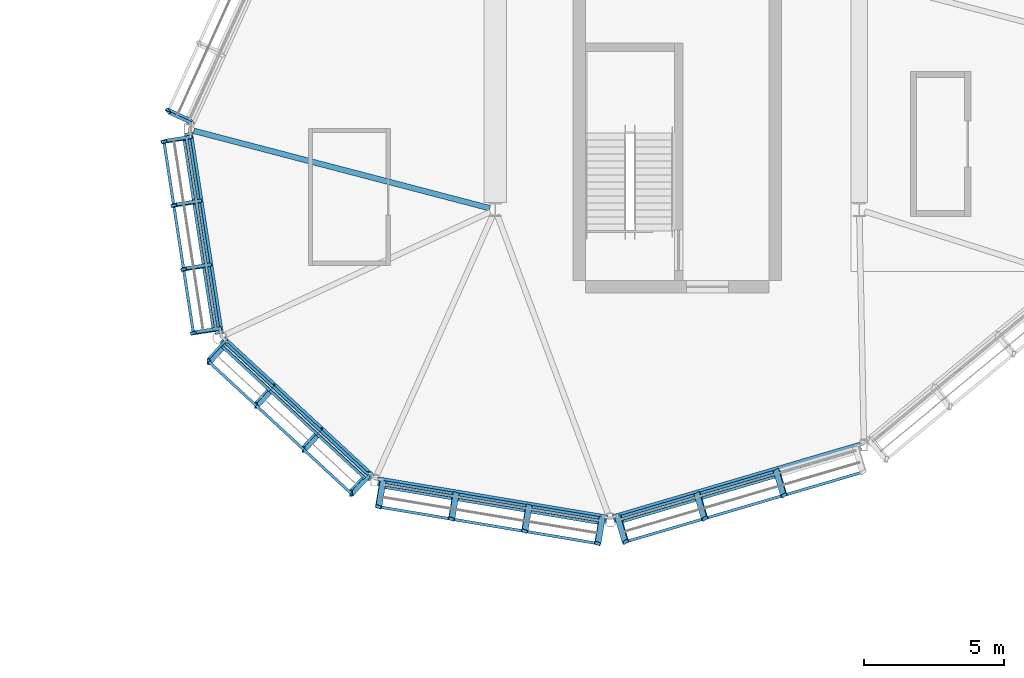
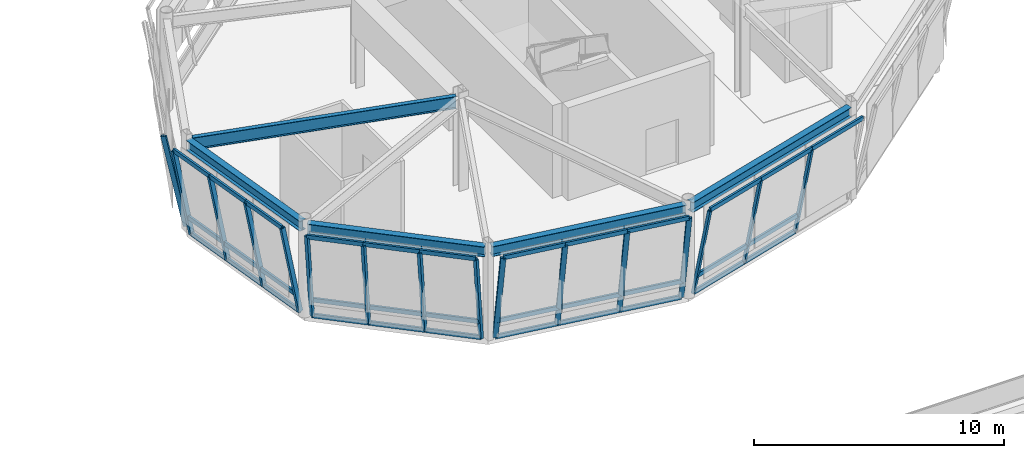
# One storey, part 55 of 94: 50 members, 5 beams, 5 elements without a shape of their own.
"""IFC4 building model written with IfcOpenShell, lengths in metres."""

from ifc_helpers import new_model, si_unit, direction, frame, origin, origin_2d, place, context, subcontext, project, spatial, hollow_rectangle, i_section, extrude, material, material_profile, profile_set, type_object, element, aggregate, save


model = new_model("IFC4")

# Units and contexts
model_context = context("Model", 3, precision=1e-05, world=origin(), true_north=direction((0.0, 1.0)))
body_context = subcontext(model_context, "Body", "Model", "MODEL_VIEW")
ifc_project = project(units=[si_unit("LENGTHUNIT", "METRE"), si_unit("AREAUNIT", "SQUARE_METRE"), si_unit("VOLUMEUNIT", "CUBIC_METRE"), si_unit("PLANEANGLEUNIT", "RADIAN"), si_unit("MASSUNIT", "GRAM", prefix="KILO")], contexts=[model_context])

# Site, building, storey
site_placement = place(None, origin())
site = spatial("IfcSite", under=ifc_project, at=site_placement, CompositionType="ELEMENT")
building_placement = place(site_placement, origin())
building = spatial("IfcBuilding", under=site, at=building_placement, Name="Linyun Crest Stadium", CompositionType="ELEMENT")
storey_placement = place(building_placement, frame((0.0, 0.0, 16.199951171875)))
storey = spatial("IfcBuildingStorey", under=building, at=storey_placement, Name="L04", CompositionType="ELEMENT", Elevation=16.199951171875)

# Beams
ifc_material_1 = material(Name="Steel Q355C", Category="steel")
ifc_material_profile_1 = material_profile(ifc_material_1, i_section(OverallWidth=0.300048828125, OverallDepth=0.488037109375, WebThickness=0.010986328125, FlangeThickness=0.01806640625, at=origin_2d()), Name="HM 488x300")
ifc_profile_set_1 = profile_set([ifc_material_profile_1], Name="Steel Q355C")
beam_type_1 = type_object("IfcBeamType", Name="B08", PredefinedType="BEAM", material=ifc_profile_set_1)
beam_1_placement = place(storey_placement, frame((56.0390625, 83.2529296875, 4.276123046875), z_axis=(0.152213453027, -0.988347643655, 0.0), x_axis=(0.988347643655, 0.152213453027, 0.0)))
element("IfcBeam", 1, at=beam_1_placement, inside=storey, type_object=beam_type_1, Name="Pod ring girder B08 L04 131", PredefinedType="BEAM", context=body_context, shape_type="SweptSolid", body=[
    extrude(i_section(OverallWidth=0.300048828125, OverallDepth=0.488037109375, WebThickness=0.010986328125, FlangeThickness=0.01806640625, at=origin_2d()), origin(), (0.0, 0.0, 1.0), 7.278564453125),
])
beam_2_placement = place(storey_placement, frame((57.2529296875, 75.85888671875, 4.276123046875), z_axis=(0.734193861678, -0.678939889441, 0.0), x_axis=(0.678939889441, 0.734193861678, 0.0)))
element("IfcBeam", 2, at=beam_2_placement, inside=storey, type_object=beam_type_1, Name="Pod ring girder B08 L04 133", PredefinedType="BEAM", context=body_context, shape_type="SweptSolid", body=[
    extrude(i_section(OverallWidth=0.300048828125, OverallDepth=0.488037109375, WebThickness=0.010986328125, FlangeThickness=0.01806640625, at=origin_2d()), origin(), (0.0, 0.0, 1.0), 7.28173828125),
])
beam_3_placement = place(storey_placement, frame((62.804931640625, 70.81396484375, 4.276123046875), z_axis=(0.986275969976, -0.165105151487, 0.0), x_axis=(0.165105151487, 0.986275969976, 0.0)))
element("IfcBeam", 3, at=beam_3_placement, inside=storey, type_object=beam_type_1, Name="Pod ring girder B08 L04 135", PredefinedType="BEAM", context=body_context, shape_type="SweptSolid", body=[
    extrude(i_section(OverallWidth=0.300048828125, OverallDepth=0.488037109375, WebThickness=0.010986328125, FlangeThickness=0.01806640625, at=origin_2d()), origin(), (0.0, 0.0, 1.0), 8.296875),
])
beam_4_placement = place(storey_placement, frame((71.220947265625, 69.4580078125, 4.276123046875), z_axis=(0.959427571735, 0.281955199623, 0.0), x_axis=(-0.281955199623, 0.959427571735, 0.0)))
element("IfcBeam", 4, at=beam_4_placement, inside=storey, type_object=beam_type_1, Name="Pod ring girder B08 L04 137", PredefinedType="BEAM", context=body_context, shape_type="SweptSolid", body=[
    extrude(i_section(OverallWidth=0.300048828125, OverallDepth=0.488037109375, WebThickness=0.010986328125, FlangeThickness=0.01806640625, at=origin_2d()), origin(), (0.0, 0.0, 1.0), 9.203369140625),
])
ifc_material_2 = material(Name="Steel Q355C", Category="steel")
ifc_material_profile_2 = material_profile(ifc_material_2, i_section(OverallWidth=0.199951171875, OverallDepth=0.60009765625, WebThickness=0.010986328125, FlangeThickness=0.01708984375, at=origin_2d()), Name="HN 600x200")
ifc_profile_set_2 = profile_set([ifc_material_profile_2], Name="Steel Q355C")
beam_type_2 = type_object("IfcBeamType", Name="B11", PredefinedType="BEAM", material=ifc_profile_set_2)
beam_5_placement = place(storey_placement, frame((66.806884765625, 80.551025390625, 4.219970703125), z_axis=(-0.967466930693, 0.252997505948, 0.0), x_axis=(-0.252997505948, -0.967466930693, 0.0)))
element("IfcBeam", 5, at=beam_5_placement, inside=storey, type_object=beam_type_2, Name="Pod radial tie girder B11 L04 132", PredefinedType="BEAM", context=body_context, shape_type="SweptSolid", body=[
    extrude(i_section(OverallWidth=0.199951171875, OverallDepth=0.60009765625, WebThickness=0.010986328125, FlangeThickness=0.01708984375, at=origin_2d()), origin(), (0.0, 0.0, 1.0), 10.928466796875),
])

# Curtain wall, member
ifc_material_3 = material(Name="Verdigris steel and low-E curtain wall assembly", Category="steel")
curtain_wall_type = type_object("IfcCurtainWallType", Name="MCW04", PredefinedType="NOTDEFINED", material=ifc_material_3)
curtain_wall_1_placement = place(storey_placement, origin())
curtain_wall_1 = element("IfcCurtainWall", 6, at=curtain_wall_1_placement, inside=storey, type_object=curtain_wall_type, Name="CWR-041", PredefinedType="NOTDEFINED")
ifc_material_4 = material(Name="Verdigris painted steel Q355C pod mullion", Category="steel")
ifc_material_profile_3 = material_profile(ifc_material_4, hollow_rectangle(XDim=0.1201171875, YDim=0.219970703125, WallThickness=0.008056640625, at=origin_2d()), Name="RHS 220x120x8")
ifc_profile_set_3 = profile_set([ifc_material_profile_3], Name="Verdigris painted steel Q355C pod mullion")
member_type_1 = type_object("IfcMemberType", Name="ML04", PredefinedType="MULLION", material=ifc_profile_set_3)
member_1_placement = place(storey_placement, frame((56.14501953125, 83.64501953125, 0.0), z_axis=(-0.181468825356, 0.082607741959, 0.979920928643), x_axis=(-0.746742899656, -0.659957267933, -0.082652563878)))
member_1 = element("IfcMember", 7, at=member_1_placement, type_object=member_type_1, Name="CWR-041 mullion 4", PredefinedType="MULLION", context=body_context, shape_type="SweptSolid", body=[
    extrude(hollow_rectangle(XDim=0.1201171875, YDim=0.219970703125, WallThickness=0.008056640625, at=origin_2d()), origin(), (0.0, 0.0, 1.0), 4.55126953125),
])
aggregate(curtain_wall_1, [member_1])

# Curtain wall, members
curtain_wall_2_placement = place(storey_placement, origin())
curtain_wall_2 = element("IfcCurtainWall", 8, at=curtain_wall_2_placement, inside=storey, type_object=curtain_wall_type, Name="CWR-042", PredefinedType="NOTDEFINED")
member_2_placement = place(storey_placement, frame((56.06689453125, 83.074951171875, 0.0), z_axis=(-0.197078126457, -0.030307333002, 0.979919219956), x_axis=(0.297564133026, -0.954219848117, 0.030332625933)))
member_2 = element("IfcMember", 9, at=member_2_placement, type_object=member_type_1, Name="CWR-042 mullion 1", PredefinedType="MULLION", context=body_context, shape_type="SweptSolid", body=[
    extrude(hollow_rectangle(XDim=0.1201171875, YDim=0.219970703125, WallThickness=0.008056640625, at=origin_2d()), origin(), (0.0, 0.0, 1.0), 4.55126953125),
])
member_3_placement = place(storey_placement, frame((56.41796875, 80.7958984375, 0.0), z_axis=(-0.197078126457, -0.030307333002, 0.979919219956), x_axis=(0.297564133026, -0.954219848117, 0.030332625933)))
member_3 = element("IfcMember", 10, at=member_3_placement, type_object=member_type_1, Name="CWR-042 mullion 2", PredefinedType="MULLION", context=body_context, shape_type="SweptSolid", body=[
    extrude(hollow_rectangle(XDim=0.1201171875, YDim=0.219970703125, WallThickness=0.008056640625, at=origin_2d()), origin(), (0.0, 0.0, 1.0), 4.55126953125),
])
member_4_placement = place(storey_placement, frame((56.76806640625, 78.51611328125, 0.0), z_axis=(-0.19707780578, -0.030360924897, 0.979917625471), x_axis=(0.297817594375, -0.954140733838, 0.030333817954)))
member_4 = element("IfcMember", 11, at=member_4_placement, type_object=member_type_1, Name="CWR-042 mullion 3", PredefinedType="MULLION", context=body_context, shape_type="SweptSolid", body=[
    extrude(hollow_rectangle(XDim=0.1201171875, YDim=0.219970703125, WallThickness=0.008056640625, at=origin_2d()), origin(), (0.0, 0.0, 1.0), 4.55126953125),
])
member_5_placement = place(storey_placement, frame((57.118896484375, 76.237060546875, 0.0), z_axis=(-0.197078126457, -0.030307333002, 0.979919219956), x_axis=(0.297564133026, -0.954219848117, 0.030332625933)))
member_5 = element("IfcMember", 12, at=member_5_placement, type_object=member_type_1, Name="CWR-042 mullion 4", PredefinedType="MULLION", context=body_context, shape_type="SweptSolid", body=[
    extrude(hollow_rectangle(XDim=0.1201171875, YDim=0.219970703125, WallThickness=0.008056640625, at=origin_2d()), origin(), (0.0, 0.0, 1.0), 4.55126953125),
])

curtain_wall_3_placement = place(storey_placement, origin())
curtain_wall_3 = element("IfcCurtainWall", 13, at=curtain_wall_3_placement, inside=storey, type_object=curtain_wall_type, Name="CWR-043", PredefinedType="NOTDEFINED")
member_6_placement = place(storey_placement, frame((57.385009765625, 75.736083984375, 0.0), z_axis=(-0.135338938, -0.146335561976, 0.979933301384), x_axis=(0.986931761781, 0.067392260663, 0.146369330089)))
member_6 = element("IfcMember", 14, at=member_6_placement, type_object=member_type_1, Name="CWR-043 mullion 1", PredefinedType="MULLION", context=body_context, shape_type="SweptSolid", body=[
    extrude(hollow_rectangle(XDim=0.1201171875, YDim=0.219970703125, WallThickness=0.008056640625, at=origin_2d()), origin(), (0.0, 0.0, 1.0), 4.55126953125),
])
member_7_placement = place(storey_placement, frame((59.0791015625, 74.169921875, 0.0), z_axis=(-0.135391596953, -0.146334499401, 0.979926185873), x_axis=(0.98694150652, 0.06719346801, 0.146395015502)))
member_7 = element("IfcMember", 15, at=member_7_placement, type_object=member_type_1, Name="CWR-043 mullion 2", PredefinedType="MULLION", context=body_context, shape_type="SweptSolid", body=[
    extrude(hollow_rectangle(XDim=0.1201171875, YDim=0.219970703125, WallThickness=0.008056640625, at=origin_2d()), origin(), (0.0, 0.0, 1.0), 4.55126953125),
])
member_8_placement = place(storey_placement, frame((60.77294921875, 72.60400390625, 0.0), z_axis=(-0.135338938, -0.146335561976, 0.979933301384), x_axis=(0.986931761781, 0.067392260663, 0.146369330089)))
member_8 = element("IfcMember", 16, at=member_8_placement, type_object=member_type_1, Name="CWR-043 mullion 3", PredefinedType="MULLION", context=body_context, shape_type="SweptSolid", body=[
    extrude(hollow_rectangle(XDim=0.1201171875, YDim=0.219970703125, WallThickness=0.008056640625, at=origin_2d()), origin(), (0.0, 0.0, 1.0), 4.55126953125),
])
member_9_placement = place(storey_placement, frame((62.467041015625, 71.0380859375, 0.0), z_axis=(-0.135338938, -0.146335561976, 0.979933301384), x_axis=(0.986931761781, 0.067392260663, 0.146369330089)))
member_9 = element("IfcMember", 17, at=member_9_placement, type_object=member_type_1, Name="CWR-043 mullion 4", PredefinedType="MULLION", context=body_context, shape_type="SweptSolid", body=[
    extrude(hollow_rectangle(XDim=0.1201171875, YDim=0.219970703125, WallThickness=0.008056640625, at=origin_2d()), origin(), (0.0, 0.0, 1.0), 4.55126953125),
])

curtain_wall_4_placement = place(storey_placement, origin())
curtain_wall_4 = element("IfcCurtainWall", 18, at=curtain_wall_4_placement, inside=storey, type_object=curtain_wall_type, Name="CWR-044", PredefinedType="NOTDEFINED")
member_10_placement = place(storey_placement, frame((62.98291015625, 70.783935546875, 0.0), z_axis=(-0.03293580154, -0.196649264568, 0.979920557863), x_axis=(0.322427792745, 0.925941462392, 0.196653824495)))
member_10 = element("IfcMember", 19, at=member_10_placement, type_object=member_type_1, Name="CWR-044 mullion 1", PredefinedType="MULLION", context=body_context, shape_type="SweptSolid", body=[
    extrude(hollow_rectangle(XDim=0.1201171875, YDim=0.219970703125, WallThickness=0.008056640625, at=origin_2d()), origin(), (0.0, 0.0, 1.0), 4.55126953125),
])
member_11_placement = place(storey_placement, frame((65.592041015625, 70.346923828125, 0.0), z_axis=(-0.03298938458, -0.196648916861, 0.979918825211), x_axis=(0.322673171426, 0.925854197234, 0.196662222875)))
member_11 = element("IfcMember", 20, at=member_11_placement, type_object=member_type_1, Name="CWR-044 mullion 2", PredefinedType="MULLION", context=body_context, shape_type="SweptSolid", body=[
    extrude(hollow_rectangle(XDim=0.1201171875, YDim=0.219970703125, WallThickness=0.008056640625, at=origin_2d()), origin(), (0.0, 0.0, 1.0), 4.55126953125),
])
member_12_placement = place(storey_placement, frame((68.200927734375, 69.910888671875, 0.0), z_axis=(-0.032936148922, -0.196597696743, 0.979930893344), x_axis=(0.32247063597, 0.925937182787, 0.196603719367)))
member_12 = element("IfcMember", 21, at=member_12_placement, type_object=member_type_1, Name="CWR-044 mullion 3", PredefinedType="MULLION", context=body_context, shape_type="SweptSolid", body=[
    extrude(hollow_rectangle(XDim=0.1201171875, YDim=0.219970703125, WallThickness=0.008056640625, at=origin_2d()), origin(), (0.0, 0.0, 1.0), 4.55126953125),
])
member_13_placement = place(storey_placement, frame((70.81005859375, 69.47412109375, 0.0), z_axis=(-0.03298938458, -0.196648916861, 0.979918825211), x_axis=(0.322673171426, 0.925854197234, 0.196662222875)))
member_13 = element("IfcMember", 22, at=member_13_placement, type_object=member_type_1, Name="CWR-044 mullion 4", PredefinedType="MULLION", context=body_context, shape_type="SweptSolid", body=[
    extrude(hollow_rectangle(XDim=0.1201171875, YDim=0.219970703125, WallThickness=0.008056640625, at=origin_2d()), origin(), (0.0, 0.0, 1.0), 4.55126953125),
])

curtain_wall_5_placement = place(storey_placement, origin())
curtain_wall_5 = element("IfcCurtainWall", 23, at=curtain_wall_5_placement, inside=storey, type_object=curtain_wall_type, Name="CWR-045", PredefinedType="NOTDEFINED")
member_14_placement = place(storey_placement, frame((71.39404296875, 69.509033203125, 0.0), z_axis=(0.056215155453, -0.191389002536, 0.979903110519), x_axis=(-0.535521217083, 0.822551841019, 0.191377885059)))
member_14 = element("IfcMember", 24, at=member_14_placement, type_object=member_type_1, Name="CWR-045 mullion 1", PredefinedType="MULLION", context=body_context, shape_type="SweptSolid", body=[
    extrude(hollow_rectangle(XDim=0.1201171875, YDim=0.219970703125, WallThickness=0.008056640625, at=origin_2d()), origin(), (0.0, 0.0, 1.0), 4.551513671875),
])
member_15_placement = place(storey_placement, frame((74.221923828125, 70.340087890625, 0.0), z_axis=(0.056268626116, -0.191388425148, 0.979900154319), x_axis=(-0.535732609675, 0.822410933305, 0.191391817253)))
member_15 = element("IfcMember", 25, at=member_15_placement, type_object=member_type_1, Name="CWR-045 mullion 2", PredefinedType="MULLION", context=body_context, shape_type="SweptSolid", body=[
    extrude(hollow_rectangle(XDim=0.1201171875, YDim=0.219970703125, WallThickness=0.008056640625, at=origin_2d()), origin(), (0.0, 0.0, 1.0), 4.551513671875),
])
member_16_placement = place(storey_placement, frame((77.050048828125, 71.1708984375, 0.0), z_axis=(0.056215732497, -0.19133732616, 0.979913169132), x_axis=(-0.535586287554, 0.822520503693, 0.191330472193)))
member_16 = element("IfcMember", 26, at=member_16_placement, type_object=member_type_1, Name="CWR-045 mullion 3", PredefinedType="MULLION", context=body_context, shape_type="SweptSolid", body=[
    extrude(hollow_rectangle(XDim=0.1201171875, YDim=0.219970703125, WallThickness=0.008056640625, at=origin_2d()), origin(), (0.0, 0.0, 1.0), 4.55126953125),
])

# Member
ifc_material_5 = material(Name="Verdigris painted steel Q355C transom", Category="steel")
ifc_material_profile_4 = material_profile(ifc_material_5, hollow_rectangle(XDim=0.10009765625, YDim=0.199951171875, WallThickness=0.008056640625, at=origin_2d()), Name="RHS 200x100x8")
ifc_profile_set_4 = profile_set([ifc_material_profile_4], Name="Verdigris painted steel Q355C transom")
member_type_2 = type_object("IfcMemberType", Name="TR03", PredefinedType="USERDEFINED", material=ifc_profile_set_4)
member_17_placement = place(storey_placement, frame((56.06689453125, 83.074951171875, 0.0), z_axis=(0.152248123454, -0.988342303509, 0.0), x_axis=(0.988342303509, 0.152248123454, 0.0)))
member_17 = element("IfcMember", 27, at=member_17_placement, type_object=member_type_2, Name="CWR-042 transom 1.1", ObjectType="TRANSOM", PredefinedType="USERDEFINED", context=body_context, shape_type="SweptSolid", body=[
    extrude(hollow_rectangle(XDim=0.10009765625, YDim=0.199951171875, WallThickness=0.008056640625, at=origin_2d()), origin(), (0.0, 0.0, 1.0), 2.305908203125),
])

member_18_placement = place(storey_placement, frame((55.885986328125, 83.047119140625, 0.900146484375), z_axis=(0.152248123454, -0.988342303509, 0.0), x_axis=(0.988342303509, 0.152248123454, 0.0)))
member_18 = element("IfcMember", 28, at=member_18_placement, type_object=member_type_2, Name="CWR-042 transom 1.2", ObjectType="TRANSOM", PredefinedType="USERDEFINED", context=body_context, shape_type="SweptSolid", body=[
    extrude(hollow_rectangle(XDim=0.10009765625, YDim=0.199951171875, WallThickness=0.008056640625, at=origin_2d()), origin(), (0.0, 0.0, 1.0), 2.305908203125),
])

member_19_placement = place(storey_placement, frame((55.169921875, 82.93701171875, 4.4599609375), z_axis=(0.152248123454, -0.988342303509, 0.0), x_axis=(0.988342303509, 0.152248123454, 0.0)))
member_19 = element("IfcMember", 29, at=member_19_placement, type_object=member_type_2, Name="CWR-042 transom 1.3", ObjectType="TRANSOM", PredefinedType="USERDEFINED", context=body_context, shape_type="SweptSolid", body=[
    extrude(hollow_rectangle(XDim=0.10009765625, YDim=0.199951171875, WallThickness=0.008056640625, at=origin_2d()), origin(), (0.0, 0.0, 1.0), 2.305908203125),
])

member_20_placement = place(storey_placement, frame((56.41796875, 80.7958984375, 0.0), z_axis=(0.15178674483, -0.988413265843, 0.0), x_axis=(0.988413265843, 0.15178674483, 0.0)))
member_20 = element("IfcMember", 30, at=member_20_placement, type_object=member_type_2, Name="CWR-042 transom 2.1", ObjectType="TRANSOM", PredefinedType="USERDEFINED", context=body_context, shape_type="SweptSolid", body=[
    extrude(hollow_rectangle(XDim=0.10009765625, YDim=0.199951171875, WallThickness=0.008056640625, at=origin_2d()), origin(), (0.0, 0.0, 1.0), 2.306396484375),
])

member_21_placement = place(storey_placement, frame((56.237060546875, 80.76806640625, 0.900146484375), z_axis=(0.151667464216, -0.988431575931, 0.0), x_axis=(0.988431575931, 0.151667464216, 0.0)))
member_21 = element("IfcMember", 31, at=member_21_placement, type_object=member_type_2, Name="CWR-042 transom 2.2", ObjectType="TRANSOM", PredefinedType="USERDEFINED", context=body_context, shape_type="SweptSolid", body=[
    extrude(hollow_rectangle(XDim=0.10009765625, YDim=0.199951171875, WallThickness=0.008056640625, at=origin_2d()), origin(), (0.0, 0.0, 1.0), 2.306640625),
])

member_22_placement = place(storey_placement, frame((55.52099609375, 80.657958984375, 4.4599609375), z_axis=(0.15177086623, -0.988415704127, 0.0), x_axis=(0.988415704127, 0.15177086623, 0.0)))
member_22 = element("IfcMember", 32, at=member_22_placement, type_object=member_type_2, Name="CWR-042 transom 2.3", ObjectType="TRANSOM", PredefinedType="USERDEFINED", context=body_context, shape_type="SweptSolid", body=[
    extrude(hollow_rectangle(XDim=0.10009765625, YDim=0.199951171875, WallThickness=0.008056640625, at=origin_2d()), origin(), (0.0, 0.0, 1.0), 2.306640625),
])

member_23_placement = place(storey_placement, frame((56.76806640625, 78.51611328125, 0.0), z_axis=(0.152144700169, -0.988358229697, 0.0), x_axis=(0.988358229697, 0.152144700169, 0.0)))
member_23 = element("IfcMember", 33, at=member_23_placement, type_object=member_type_2, Name="CWR-042 transom 3.1", ObjectType="TRANSOM", PredefinedType="USERDEFINED", context=body_context, shape_type="SweptSolid", body=[
    extrude(hollow_rectangle(XDim=0.10009765625, YDim=0.199951171875, WallThickness=0.008056640625, at=origin_2d()), origin(), (0.0, 0.0, 1.0), 2.305908203125),
])

member_24_placement = place(storey_placement, frame((56.5869140625, 78.488037109375, 0.900146484375), z_axis=(0.152248123454, -0.988342303509, 0.0), x_axis=(0.988342303509, 0.152248123454, 0.0)))
member_24 = element("IfcMember", 34, at=member_24_placement, type_object=member_type_2, Name="CWR-042 transom 3.2", ObjectType="TRANSOM", PredefinedType="USERDEFINED", context=body_context, shape_type="SweptSolid", body=[
    extrude(hollow_rectangle(XDim=0.10009765625, YDim=0.199951171875, WallThickness=0.008056640625, at=origin_2d()), origin(), (0.0, 0.0, 1.0), 2.305908203125),
])

member_25_placement = place(storey_placement, frame((55.87109375, 78.3779296875, 4.4599609375), z_axis=(0.152160622849, -0.98835577848, 0.0), x_axis=(0.98835577848, 0.152160622849, 0.0)))
member_25 = element("IfcMember", 35, at=member_25_placement, type_object=member_type_2, Name="CWR-042 transom 3.3", ObjectType="TRANSOM", PredefinedType="USERDEFINED", context=body_context, shape_type="SweptSolid", body=[
    extrude(hollow_rectangle(XDim=0.10009765625, YDim=0.199951171875, WallThickness=0.008056640625, at=origin_2d()), origin(), (0.0, 0.0, 1.0), 2.3056640625),
])

aggregate(curtain_wall_2, [member_2, member_3, member_4, member_5, member_17, member_18, member_19, member_20, member_21, member_22, member_23, member_24, member_25])

member_26_placement = place(storey_placement, frame((57.385009765625, 75.736083984375, 0.0), z_axis=(0.734287991916, -0.678838084471, 0.0), x_axis=(0.678838084471, 0.734287991916, 0.0)))
member_26 = element("IfcMember", 36, at=member_26_placement, type_object=member_type_2, Name="CWR-043 transom 1.1", ObjectType="TRANSOM", PredefinedType="USERDEFINED", context=body_context, shape_type="SweptSolid", body=[
    extrude(hollow_rectangle(XDim=0.10009765625, YDim=0.199951171875, WallThickness=0.008056640625, at=origin_2d()), origin(), (0.0, 0.0, 1.0), 2.30712890625),
])

member_27_placement = place(storey_placement, frame((57.260986328125, 75.60205078125, 0.900146484375), z_axis=(0.734287991916, -0.678838084471, 0.0), x_axis=(0.678838084471, 0.734287991916, 0.0)))
member_27 = element("IfcMember", 37, at=member_27_placement, type_object=member_type_2, Name="CWR-043 transom 1.2", ObjectType="TRANSOM", PredefinedType="USERDEFINED", context=body_context, shape_type="SweptSolid", body=[
    extrude(hollow_rectangle(XDim=0.10009765625, YDim=0.199951171875, WallThickness=0.008056640625, at=origin_2d()), origin(), (0.0, 0.0, 1.0), 2.30712890625),
])

member_28_placement = place(storey_placement, frame((56.76904296875, 75.070068359375, 4.4599609375), z_axis=(0.734239221938, -0.678890834352, 0.0), x_axis=(0.678890834352, 0.734239221938, 0.0)))
member_28 = element("IfcMember", 38, at=member_28_placement, type_object=member_type_2, Name="CWR-043 transom 1.3", ObjectType="TRANSOM", PredefinedType="USERDEFINED", context=body_context, shape_type="SweptSolid", body=[
    extrude(hollow_rectangle(XDim=0.10009765625, YDim=0.199951171875, WallThickness=0.008056640625, at=origin_2d()), origin(), (0.0, 0.0, 1.0), 2.306884765625),
])

member_29_placement = place(storey_placement, frame((59.0791015625, 74.169921875, 0.0), z_axis=(0.73429197574, -0.678833775208, 0.0), x_axis=(0.678833775208, 0.73429197574, 0.0)))
member_29 = element("IfcMember", 39, at=member_29_placement, type_object=member_type_2, Name="CWR-043 transom 2.1", ObjectType="TRANSOM", PredefinedType="USERDEFINED", context=body_context, shape_type="SweptSolid", body=[
    extrude(hollow_rectangle(XDim=0.10009765625, YDim=0.199951171875, WallThickness=0.008056640625, at=origin_2d()), origin(), (0.0, 0.0, 1.0), 2.306884765625),
])

member_30_placement = place(storey_placement, frame((58.955078125, 74.035888671875, 0.900146484375), z_axis=(0.73429197574, -0.678833775208, 0.0), x_axis=(0.678833775208, 0.73429197574, 0.0)))
member_30 = element("IfcMember", 40, at=member_30_placement, type_object=member_type_2, Name="CWR-043 transom 2.2", ObjectType="TRANSOM", PredefinedType="USERDEFINED", context=body_context, shape_type="SweptSolid", body=[
    extrude(hollow_rectangle(XDim=0.10009765625, YDim=0.199951171875, WallThickness=0.008056640625, at=origin_2d()), origin(), (0.0, 0.0, 1.0), 2.306884765625),
])

member_31_placement = place(storey_placement, frame((58.462890625, 73.50390625, 4.4599609375), z_axis=(0.734340741023, -0.678781022182, 0.0), x_axis=(0.678781022182, 0.734340741023, 0.0)))
member_31 = element("IfcMember", 41, at=member_31_placement, type_object=member_type_2, Name="CWR-043 transom 2.3", ObjectType="TRANSOM", PredefinedType="USERDEFINED", context=body_context, shape_type="SweptSolid", body=[
    extrude(hollow_rectangle(XDim=0.10009765625, YDim=0.199951171875, WallThickness=0.008056640625, at=origin_2d()), origin(), (0.0, 0.0, 1.0), 2.306884765625),
])

member_32_placement = place(storey_placement, frame((60.77294921875, 72.60400390625, 0.0), z_axis=(0.734340741023, -0.678781022182, 0.0), x_axis=(0.678781022182, 0.734340741023, 0.0)))
member_32 = element("IfcMember", 42, at=member_32_placement, type_object=member_type_2, Name="CWR-043 transom 3.1", ObjectType="TRANSOM", PredefinedType="USERDEFINED", context=body_context, shape_type="SweptSolid", body=[
    extrude(hollow_rectangle(XDim=0.10009765625, YDim=0.199951171875, WallThickness=0.008056640625, at=origin_2d()), origin(), (0.0, 0.0, 1.0), 2.306884765625),
])

member_33_placement = place(storey_placement, frame((60.64892578125, 72.469970703125, 0.900146484375), z_axis=(0.734340741023, -0.678781022182, 0.0), x_axis=(0.678781022182, 0.734340741023, 0.0)))
member_33 = element("IfcMember", 43, at=member_33_placement, type_object=member_type_2, Name="CWR-043 transom 3.2", ObjectType="TRANSOM", PredefinedType="USERDEFINED", context=body_context, shape_type="SweptSolid", body=[
    extrude(hollow_rectangle(XDim=0.10009765625, YDim=0.199951171875, WallThickness=0.008056640625, at=origin_2d()), origin(), (0.0, 0.0, 1.0), 2.306884765625),
])

member_34_placement = place(storey_placement, frame((60.156982421875, 71.93798828125, 4.4599609375), z_axis=(0.734340741023, -0.678781022182, 0.0), x_axis=(0.678781022182, 0.734340741023, 0.0)))
member_34 = element("IfcMember", 44, at=member_34_placement, type_object=member_type_2, Name="CWR-043 transom 3.3", ObjectType="TRANSOM", PredefinedType="USERDEFINED", context=body_context, shape_type="SweptSolid", body=[
    extrude(hollow_rectangle(XDim=0.10009765625, YDim=0.199951171875, WallThickness=0.008056640625, at=origin_2d()), origin(), (0.0, 0.0, 1.0), 2.306884765625),
])

aggregate(curtain_wall_3, [member_6, member_7, member_8, member_9, member_26, member_27, member_28, member_29, member_30, member_31, member_32, member_33, member_34])

member_35_placement = place(storey_placement, frame((62.98291015625, 70.783935546875, 0.0), z_axis=(0.986261411357, -0.165192095661, 0.0), x_axis=(0.165192095661, 0.986261411357, 0.0)))
member_35 = element("IfcMember", 45, at=member_35_placement, type_object=member_type_2, Name="CWR-044 transom 1.1", ObjectType="TRANSOM", PredefinedType="USERDEFINED", context=body_context, shape_type="SweptSolid", body=[
    extrude(hollow_rectangle(XDim=0.10009765625, YDim=0.199951171875, WallThickness=0.008056640625, at=origin_2d()), origin(), (0.0, 0.0, 1.0), 2.6455078125),
])

member_36_placement = place(storey_placement, frame((62.952880859375, 70.60302734375, 0.900146484375), z_axis=(0.986321491601, -0.164832991859, 0.0), x_axis=(0.164832991859, 0.986321491601, 0.0)))
member_36 = element("IfcMember", 46, at=member_36_placement, type_object=member_type_2, Name="CWR-044 transom 1.2", ObjectType="TRANSOM", PredefinedType="USERDEFINED", context=body_context, shape_type="SweptSolid", body=[
    extrude(hollow_rectangle(XDim=0.10009765625, YDim=0.199951171875, WallThickness=0.008056640625, at=origin_2d()), origin(), (0.0, 0.0, 1.0), 2.645263671875),
])

member_37_placement = place(storey_placement, frame((62.8330078125, 69.888916015625, 4.4599609375), z_axis=(0.98625889267, -0.165207132499, 0.0), x_axis=(0.165207132499, 0.98625889267, 0.0)))
member_37 = element("IfcMember", 47, at=member_37_placement, type_object=member_type_2, Name="CWR-044 transom 1.3", ObjectType="TRANSOM", PredefinedType="USERDEFINED", context=body_context, shape_type="SweptSolid", body=[
    extrude(hollow_rectangle(XDim=0.10009765625, YDim=0.199951171875, WallThickness=0.008056640625, at=origin_2d()), origin(), (0.0, 0.0, 1.0), 2.645263671875),
])

member_38_placement = place(storey_placement, frame((65.592041015625, 70.346923828125, 0.0), z_axis=(0.986318983701, -0.164847997837, 0.0), x_axis=(0.164847997837, 0.986318983701, 0.0)))
member_38 = element("IfcMember", 48, at=member_38_placement, type_object=member_type_2, Name="CWR-044 transom 2.1", ObjectType="TRANSOM", PredefinedType="USERDEFINED", context=body_context, shape_type="SweptSolid", body=[
    extrude(hollow_rectangle(XDim=0.10009765625, YDim=0.199951171875, WallThickness=0.008056640625, at=origin_2d()), origin(), (0.0, 0.0, 1.0), 2.64501953125),
])

member_39_placement = place(storey_placement, frame((65.56201171875, 70.1669921875, 0.900146484375), z_axis=(0.98625889267, -0.165207132499, 0.0), x_axis=(0.165207132499, 0.98625889267, 0.0)))
member_39 = element("IfcMember", 49, at=member_39_placement, type_object=member_type_2, Name="CWR-044 transom 2.2", ObjectType="TRANSOM", PredefinedType="USERDEFINED", context=body_context, shape_type="SweptSolid", body=[
    extrude(hollow_rectangle(XDim=0.10009765625, YDim=0.199951171875, WallThickness=0.008056640625, at=origin_2d()), origin(), (0.0, 0.0, 1.0), 2.645263671875),
])

member_40_placement = place(storey_placement, frame((65.44189453125, 69.451904296875, 4.4599609375), z_axis=(0.986336492374, -0.16474320566, 0.0), x_axis=(0.16474320566, 0.986336492374, 0.0)))
member_40 = element("IfcMember", 50, at=member_40_placement, type_object=member_type_2, Name="CWR-044 transom 2.3", ObjectType="TRANSOM", PredefinedType="USERDEFINED", context=body_context, shape_type="SweptSolid", body=[
    extrude(hollow_rectangle(XDim=0.10009765625, YDim=0.199951171875, WallThickness=0.008056640625, at=origin_2d()), origin(), (0.0, 0.0, 1.0), 2.645263671875),
])

member_41_placement = place(storey_placement, frame((68.200927734375, 69.910888671875, 0.0), z_axis=(0.986276442989, -0.165102325864, 0.0), x_axis=(0.165102325864, 0.986276442989, 0.0)))
member_41 = element("IfcMember", 51, at=member_41_placement, type_object=member_type_2, Name="CWR-044 transom 3.1", ObjectType="TRANSOM", PredefinedType="USERDEFINED", context=body_context, shape_type="SweptSolid", body=[
    extrude(hollow_rectangle(XDim=0.10009765625, YDim=0.199951171875, WallThickness=0.008056640625, at=origin_2d()), origin(), (0.0, 0.0, 1.0), 2.6455078125),
])

member_42_placement = place(storey_placement, frame((68.1708984375, 69.72998046875, 0.900146484375), z_axis=(0.986261411357, -0.165192095661, 0.0), x_axis=(0.165192095661, 0.986261411357, 0.0)))
member_42 = element("IfcMember", 52, at=member_42_placement, type_object=member_type_2, Name="CWR-044 transom 3.2", ObjectType="TRANSOM", PredefinedType="USERDEFINED", context=body_context, shape_type="SweptSolid", body=[
    extrude(hollow_rectangle(XDim=0.10009765625, YDim=0.199951171875, WallThickness=0.008056640625, at=origin_2d()), origin(), (0.0, 0.0, 1.0), 2.6455078125),
])

member_43_placement = place(storey_placement, frame((68.051025390625, 69.01611328125, 4.4599609375), z_axis=(0.98625889267, -0.165207132499, 0.0), x_axis=(0.165207132499, 0.98625889267, 0.0)))
member_43 = element("IfcMember", 53, at=member_43_placement, type_object=member_type_2, Name="CWR-044 transom 3.3", ObjectType="TRANSOM", PredefinedType="USERDEFINED", context=body_context, shape_type="SweptSolid", body=[
    extrude(hollow_rectangle(XDim=0.10009765625, YDim=0.199951171875, WallThickness=0.008056640625, at=origin_2d()), origin(), (0.0, 0.0, 1.0), 2.645263671875),
])

aggregate(curtain_wall_4, [member_10, member_11, member_12, member_13, member_35, member_36, member_37, member_38, member_39, member_40, member_41, member_42, member_43])

member_44_placement = place(storey_placement, frame((71.39404296875, 69.509033203125, 0.0), z_axis=(0.959427469513, 0.28195554746, 0.0), x_axis=(-0.28195554746, 0.959427469513, 0.0)))
member_44 = element("IfcMember", 54, at=member_44_placement, type_object=member_type_2, Name="CWR-045 transom 1.1", ObjectType="TRANSOM", PredefinedType="USERDEFINED", context=body_context, shape_type="SweptSolid", body=[
    extrude(hollow_rectangle(XDim=0.10009765625, YDim=0.199951171875, WallThickness=0.008056640625, at=origin_2d()), origin(), (0.0, 0.0, 1.0), 2.947509765625),
])

member_45_placement = place(storey_placement, frame((71.446044921875, 69.3330078125, 0.900146484375), z_axis=(0.959427469513, 0.28195554746, 0.0), x_axis=(-0.28195554746, 0.959427469513, 0.0)))
member_45 = element("IfcMember", 55, at=member_45_placement, type_object=member_type_2, Name="CWR-045 transom 1.2", ObjectType="TRANSOM", PredefinedType="USERDEFINED", context=body_context, shape_type="SweptSolid", body=[
    extrude(hollow_rectangle(XDim=0.10009765625, YDim=0.199951171875, WallThickness=0.008056640625, at=origin_2d()), origin(), (0.0, 0.0, 1.0), 2.947509765625),
])

member_46_placement = place(storey_placement, frame((71.64990234375, 68.637939453125, 4.4599609375), z_axis=(0.959434053677, 0.281933142154, 0.0), x_axis=(-0.281933142154, 0.959434053677, 0.0)))
member_46 = element("IfcMember", 56, at=member_46_placement, type_object=member_type_2, Name="CWR-045 transom 1.3", ObjectType="TRANSOM", PredefinedType="USERDEFINED", context=body_context, shape_type="SweptSolid", body=[
    extrude(hollow_rectangle(XDim=0.10009765625, YDim=0.199951171875, WallThickness=0.008056640625, at=origin_2d()), origin(), (0.0, 0.0, 1.0), 2.94775390625),
])

member_47_placement = place(storey_placement, frame((74.221923828125, 70.340087890625, 0.0), z_axis=(0.959456454772, 0.281856898791, 0.0), x_axis=(-0.281856898791, 0.959456454772, 0.0)))
member_47 = element("IfcMember", 57, at=member_47_placement, type_object=member_type_2, Name="CWR-045 transom 2.1", ObjectType="TRANSOM", PredefinedType="USERDEFINED", context=body_context, shape_type="SweptSolid", body=[
    extrude(hollow_rectangle(XDim=0.10009765625, YDim=0.199951171875, WallThickness=0.008056640625, at=origin_2d()), origin(), (0.0, 0.0, 1.0), 2.94775390625),
])

member_48_placement = place(storey_placement, frame((74.27392578125, 70.1640625, 0.900146484375), z_axis=(0.959434053677, 0.281933142154, 0.0), x_axis=(-0.281933142154, 0.959434053677, 0.0)))
member_48 = element("IfcMember", 58, at=member_48_placement, type_object=member_type_2, Name="CWR-045 transom 2.2", ObjectType="TRANSOM", PredefinedType="USERDEFINED", context=body_context, shape_type="SweptSolid", body=[
    extrude(hollow_rectangle(XDim=0.10009765625, YDim=0.199951171875, WallThickness=0.008056640625, at=origin_2d()), origin(), (0.0, 0.0, 1.0), 2.94775390625),
])

member_49_placement = place(storey_placement, frame((74.47802734375, 69.468994140625, 4.4599609375), z_axis=(0.959427469513, 0.28195554746, 0.0), x_axis=(-0.28195554746, 0.959427469513, 0.0)))
member_49 = element("IfcMember", 59, at=member_49_placement, type_object=member_type_2, Name="CWR-045 transom 2.3", ObjectType="TRANSOM", PredefinedType="USERDEFINED", context=body_context, shape_type="SweptSolid", body=[
    extrude(hollow_rectangle(XDim=0.10009765625, YDim=0.199951171875, WallThickness=0.008056640625, at=origin_2d()), origin(), (0.0, 0.0, 1.0), 2.947509765625),
])

member_50_placement = place(storey_placement, frame((77.305908203125, 70.300048828125, 4.4599609375), z_axis=(0.959434053677, 0.281933142154, 0.0), x_axis=(-0.281933142154, 0.959434053677, 0.0)))
member_50 = element("IfcMember", 60, at=member_50_placement, type_object=member_type_2, Name="CWR-045 transom 3.3", ObjectType="TRANSOM", PredefinedType="USERDEFINED", context=body_context, shape_type="SweptSolid", body=[
    extrude(hollow_rectangle(XDim=0.10009765625, YDim=0.199951171875, WallThickness=0.008056640625, at=origin_2d()), origin(), (0.0, 0.0, 1.0), 2.94775390625),
])

aggregate(curtain_wall_5, [member_14, member_15, member_16, member_44, member_45, member_46, member_47, member_48, member_49, member_50])

save(model, "model.ifc")
